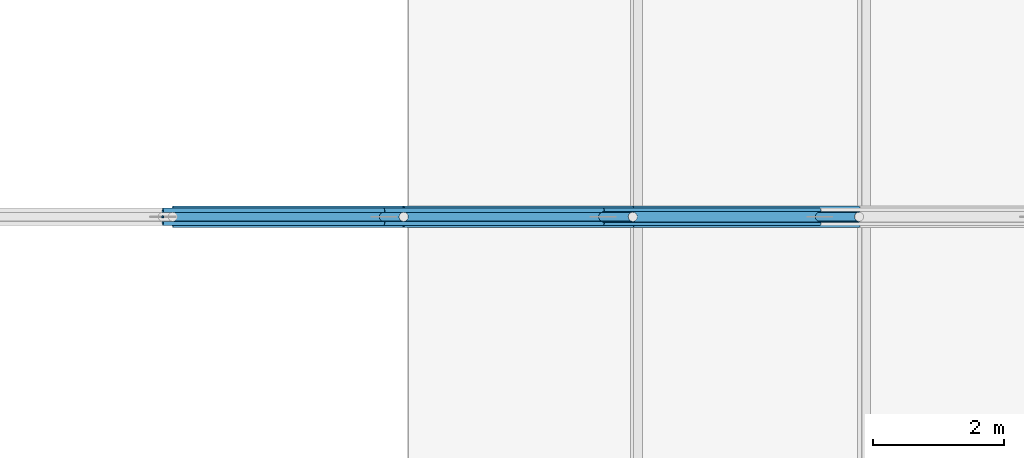
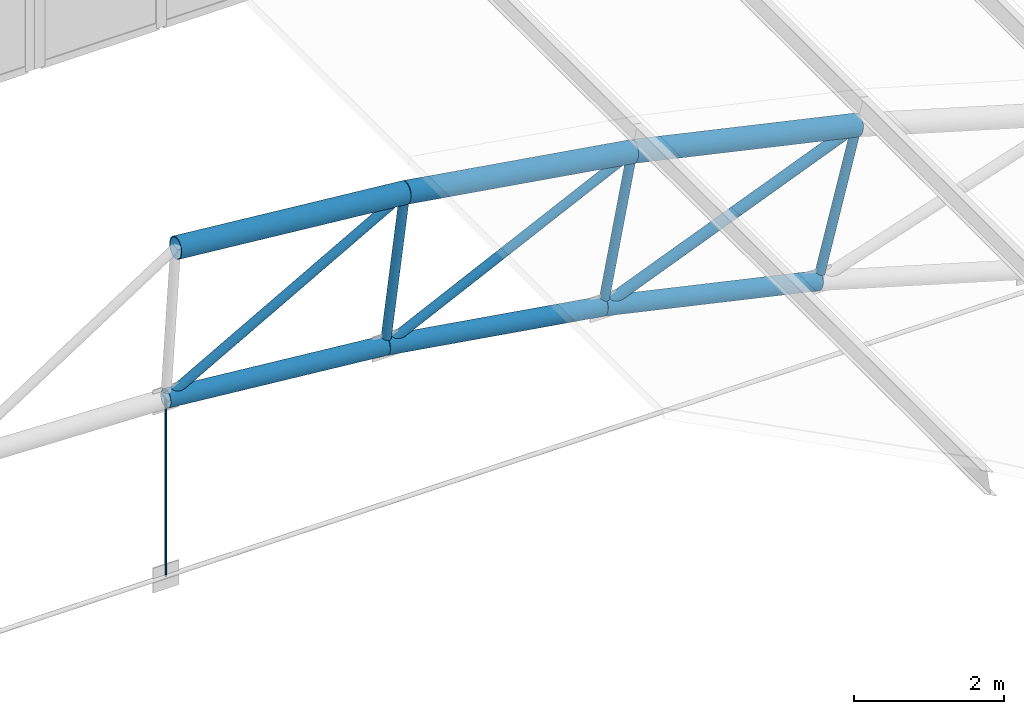
# One storey, part 139 of 321: 13 members.
"""IFC4 building model written with IfcOpenShell, lengths in metres."""

from ifc_helpers import new_model, si_unit, direction, frame, origin, origin_2d, place, context, subcontext, project, spatial, circle, hollow_circle, extrude, material, material_profile, profile_set, type_object, element, save


model = new_model("IFC4")

# Units and contexts
model_context = context("Model", 3, precision=1e-05, world=origin(), true_north=direction((0.0, 1.0)))
body_context = subcontext(model_context, "Body", "Model", "MODEL_VIEW")
ifc_project = project(units=[si_unit("LENGTHUNIT", "METRE"), si_unit("AREAUNIT", "SQUARE_METRE"), si_unit("VOLUMEUNIT", "CUBIC_METRE"), si_unit("PLANEANGLEUNIT", "RADIAN"), si_unit("MASSUNIT", "GRAM", prefix="KILO")], contexts=[model_context])

# Site, building, storey
site_placement = place(None, origin())
site = spatial("IfcSite", under=ifc_project, at=site_placement, CompositionType="ELEMENT")
building_placement = place(site_placement, origin())
building = spatial("IfcBuilding", under=site, at=building_placement, Name="Ravi Spectrum Wholesale Market", CompositionType="ELEMENT")
storey_placement = place(building_placement, frame((0.0, 0.0, 10.800048828125)))
storey = spatial("IfcBuildingStorey", under=building, at=storey_placement, Name="L02", CompositionType="ELEMENT", Elevation=10.800048828125)

# Members
ifc_material_1 = material(Name="Steel S355", Category="steel")
ifc_material_profile_1 = material_profile(ifc_material_1, hollow_circle(Radius=0.06982421875, WallThickness=0.0048828125, at=origin_2d()))
ifc_profile_set_1 = profile_set([ifc_material_profile_1], Name="Steel S355")
member_type_1 = type_object("IfcMemberType", Name="CHS 139.7x5 brace", PredefinedType="BRACE", material=ifc_profile_set_1)
for number, where, z_axis, x_axis, name in (
    (1, (181.0673828125, 114.0, 4.952392578125), (-0.872529716562, 0.0, -0.488561044001), (0.0, -1.0, 0.0), "H2-MB-L02-217"),
    (2, (184.565673828125, 114.0, 4.394775390625), (-0.901638699511, 0.0, -0.432490064098), (0.0, -1.0, 0.0), "H2-MB-L02-218"),
):
    element("IfcMember", number, at=place(storey_placement, frame(where, z_axis=z_axis, x_axis=x_axis)), inside=storey, type_object=member_type_1, Name=name, PredefinedType="BRACE", context=body_context, shape_type="SweptSolid", body=[
        extrude(hollow_circle(Radius=0.06982421875, WallThickness=0.0048828125, at=origin_2d()), origin(), (0.0, 0.0, 1.0), 4.215576171875),
    ])
ifc_material_2 = material(Name="Steel S355", Category="steel")
ifc_material_profile_2 = material_profile(ifc_material_2, hollow_circle(Radius=0.06982421875, WallThickness=0.0048828125, at=origin_2d()))
ifc_profile_set_2 = profile_set([ifc_material_profile_2], Name="Steel S355")
member_type_2 = type_object("IfcMemberType", Name="CHS 139.7x5 post", PredefinedType="POST", material=ifc_profile_set_2)
member_1_placement = place(storey_placement, frame((181.0673828125, 114.0, 4.952392578125), z_axis=(-0.126137795856, 0.0, -0.992012729987), x_axis=(0.0, -1.0, 0.0)))
element("IfcMember", 3, at=member_1_placement, inside=storey, type_object=member_type_2, Name="H2-MB-L02-205", PredefinedType="POST", context=body_context, shape_type="SweptSolid", body=[
    extrude(hollow_circle(Radius=0.06982421875, WallThickness=0.0048828125, at=origin_2d()), origin(), (0.0, 0.0, 1.0), 2.400146484375),
])
member_2_placement = place(storey_placement, frame((184.565673828125, 114.0, 4.394775390625), z_axis=(-0.188500261805, 0.0, -0.982073139486), x_axis=(0.0, -1.0, 0.0)))
element("IfcMember", 4, at=member_2_placement, inside=storey, type_object=member_type_2, Name="H2-MB-L02-206", PredefinedType="POST", context=body_context, shape_type="SweptSolid", body=[
    extrude(hollow_circle(Radius=0.06982421875, WallThickness=0.0048828125, at=origin_2d()), origin(), (0.0, 0.0, 1.0), 2.39990234375),
])
member_3_placement = place(storey_placement, frame((188.02197265625, 114.0, 3.6171875), z_axis=(-0.250234870817, 0.0, -0.96818516278), x_axis=(0.0, -1.0, 0.0)))
element("IfcMember", 5, at=member_3_placement, inside=storey, type_object=member_type_2, Name="H2-MB-L02-207", PredefinedType="POST", context=body_context, shape_type="SweptSolid", body=[
    extrude(hollow_circle(Radius=0.06982421875, WallThickness=0.0048828125, at=origin_2d()), origin(), (0.0, 0.0, 1.0), 2.400146484375),
])
ifc_material_3 = material(Name="Steel S355", Category="steel")
ifc_material_profile_3 = material_profile(ifc_material_3, hollow_circle(Radius=0.084228515625, WallThickness=0.00634765625, at=origin_2d()))
ifc_profile_set_3 = profile_set([ifc_material_profile_3], Name="Steel S355")
member_type_3 = type_object("IfcMemberType", Name="CHS 168.3x6.3 brace", PredefinedType="BRACE", material=ifc_profile_set_3)
member_4_placement = place(storey_placement, frame((188.02197265625, 114.0, 3.6171875), z_axis=(-0.927172989808, 0.0, -0.374633483515), x_axis=(0.0, -1.0, 0.0)))
element("IfcMember", 6, at=member_4_placement, inside=storey, type_object=member_type_3, Name="H2-MB-L02-219", PredefinedType="BRACE", context=body_context, shape_type="SweptSolid", body=[
    extrude(hollow_circle(Radius=0.084228515625, WallThickness=0.00634765625, at=origin_2d()), origin(), (0.0, 0.0, 1.0), 4.2158203125),
])
ifc_material_4 = material(Name="Steel S355", Category="steel")
ifc_material_profile_4 = material_profile(ifc_material_4, hollow_circle(Radius=0.136474609375, WallThickness=0.010009765625, at=origin_2d()))
ifc_profile_set_4 = profile_set([ifc_material_profile_4], Name="Steel S355")
member_type_4 = type_object("IfcMemberType", Name="CHS 273x10 chord", PredefinedType="CHORD", material=ifc_profile_set_4)
member_5_placement = place(storey_placement, frame((177.38916015625, 114.0, 2.892822265625), z_axis=(0.995500648787, 0.0, -0.094754726877), x_axis=(0.0, 1.0, 0.0)))
element("IfcMember", 7, at=member_5_placement, inside=storey, type_object=member_type_4, Name="H2-MB-L02-191", PredefinedType="CHORD", context=body_context, shape_type="SweptSolid", body=[
    extrude(hollow_circle(Radius=0.136474609375, WallThickness=0.010009765625, at=origin_2d()), origin(), (0.0, 0.0, 1.0), 3.390625),
])
for number, where, z_axis, x_axis, name in (
    (8, (180.7646484375, 114.0, 2.571533203125), (0.98753659733, 0.0, -0.157389545185), (0.0, 1.0, 0.0), "H2-MB-L02-192"),
    (9, (184.11328125, 114.0, 2.037841796875), (0.975605901076, 0.0, -0.219529327851), (0.0, 1.0, 0.0), "H2-MB-L02-193"),
):
    element("IfcMember", number, at=place(storey_placement, frame(where, z_axis=z_axis, x_axis=x_axis)), inside=storey, type_object=member_type_4, Name=name, PredefinedType="CHORD", context=body_context, shape_type="SweptSolid", body=[
        extrude(hollow_circle(Radius=0.136474609375, WallThickness=0.010009765625, at=origin_2d()), origin(), (0.0, 0.0, 1.0), 3.390869140625),
    ])
ifc_material_5 = material(Name="Steel S355", Category="steel")
ifc_material_profile_5 = material_profile(ifc_material_5, hollow_circle(Radius=0.161865234375, WallThickness=0.010009765625, at=origin_2d()))
ifc_profile_set_5 = profile_set([ifc_material_profile_5], Name="Steel S355")
member_type_5 = type_object("IfcMemberType", Name="CHS 323.9x10 chord", PredefinedType="CHORD", material=ifc_profile_set_5)
for number, where, z_axis, x_axis, name in (
    (10, (177.540771484375, 114.0, 5.2880859375), (0.995500117461, 0.0, -0.094760308862), (0.0, 1.0, 0.0), "H2-MB-L02-177"),
    (11, (181.0673828125, 114.0, 4.952392578125), (0.987533356072, 0.0, -0.157409881029), (0.0, 1.0, 0.0), "H2-MB-L02-178"),
):
    element("IfcMember", number, at=place(storey_placement, frame(where, z_axis=z_axis, x_axis=x_axis)), inside=storey, type_object=member_type_5, Name=name, PredefinedType="CHORD", context=body_context, shape_type="SweptSolid", body=[
        extrude(hollow_circle(Radius=0.161865234375, WallThickness=0.010009765625, at=origin_2d()), origin(), (0.0, 0.0, 1.0), 3.54248046875),
    ])
member_6_placement = place(storey_placement, frame((184.565673828125, 114.0, 4.394775390625), z_axis=(0.975614552373, 0.0, -0.219490877256), x_axis=(0.0, 1.0, 0.0)))
element("IfcMember", 12, at=member_6_placement, inside=storey, type_object=member_type_5, Name="H2-MB-L02-179", PredefinedType="CHORD", context=body_context, shape_type="SweptSolid", body=[
    extrude(hollow_circle(Radius=0.161865234375, WallThickness=0.010009765625, at=origin_2d()), origin(), (0.0, 0.0, 1.0), 3.542724609375),
])
ifc_material_6 = material(Name="Steel S355", Category="steel")
ifc_material_profile_6 = material_profile(ifc_material_6, circle(Radius=0.01806640625, at=origin_2d()))
ifc_profile_set_6 = profile_set([ifc_material_profile_6], Name="Steel S355")
member_type_6 = type_object("IfcMemberType", Name="ROD 36 hanger", PredefinedType="STRUT", material=ifc_profile_set_6)
member_7_placement = place(storey_placement, frame((177.38916015625, 114.0, 0.0), z_axis=(0.0, 0.0, 1.0), x_axis=(1.0, 0.0, 0.0)))
element("IfcMember", 13, at=member_7_placement, inside=storey, type_object=member_type_6, Name="H2-MB-L02-224", PredefinedType="STRUT", context=body_context, shape_type="SweptSolid", body=[
    extrude(circle(Radius=0.01806640625, at=origin_2d()), origin(), (0.0, 0.0, 1.0), 2.892822265625),
])

save(model, "model.ifc")
